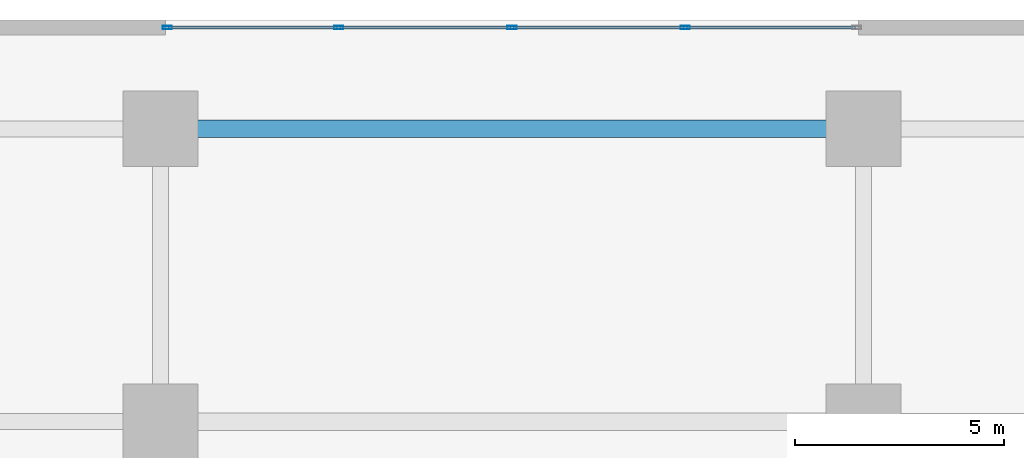
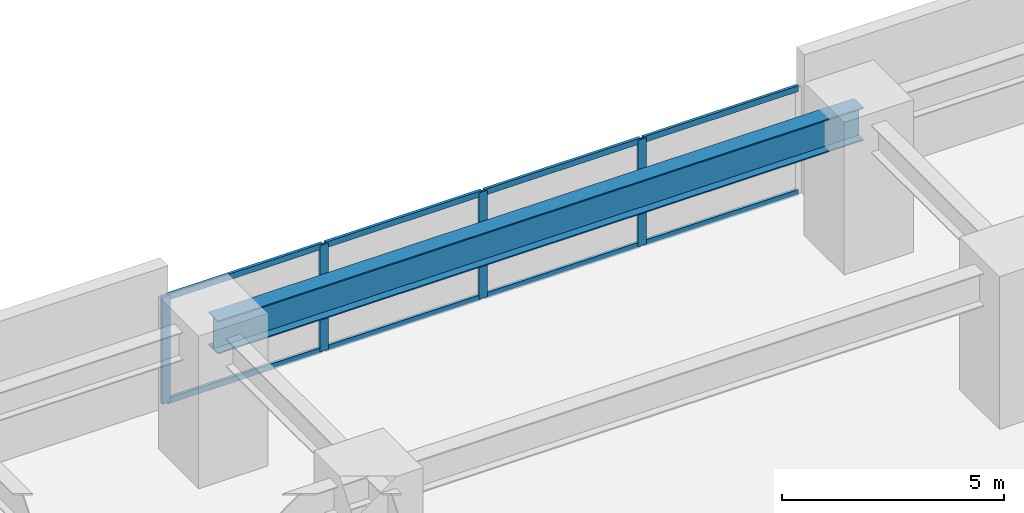
# One storey, part 7 of 22: 12 members, 1 beam, 1 element without a shape of its own.
"""IFC4 building model written with IfcOpenShell, lengths in metres."""

from ifc_helpers import new_model, si_unit, direction, frame, origin, origin_2d, place, context, subcontext, project, spatial, hollow_rectangle, i_section, extrude, material, layer, layer_set, material_profile, profile_set, type_object, element, aggregate, save


model = new_model("IFC4")

# Units and contexts
model_context = context("Model", 3, precision=1e-05, world=origin(), true_north=direction((0.0, 1.0)))
body_context = subcontext(model_context, "Body", "Model", "MODEL_VIEW")
ifc_project = project(units=[si_unit("LENGTHUNIT", "METRE"), si_unit("AREAUNIT", "SQUARE_METRE"), si_unit("VOLUMEUNIT", "CUBIC_METRE"), si_unit("PLANEANGLEUNIT", "RADIAN"), si_unit("MASSUNIT", "GRAM", prefix="KILO")], contexts=[model_context])

# Site, building, storey
site_placement = place(None, origin())
site = spatial("IfcSite", under=ifc_project, at=site_placement, CompositionType="ELEMENT")
building_placement = place(site_placement, origin())
building = spatial("IfcBuilding", under=site, at=building_placement, Name="Kiyonajd Concourse Tower", CompositionType="ELEMENT")
storey_placement = place(building_placement, frame((0.0, 0.0, 4.5)))
storey = spatial("IfcBuildingStorey", under=building, at=storey_placement, Name="L02", CompositionType="ELEMENT", Elevation=4.5)

# Beam
ifc_material_1 = material(Name="Steel ASTM A992 Grade 50", Category="steel")
ifc_material_profile_1 = material_profile(ifc_material_1, i_section(OverallWidth=0.41796875, OverallDepth=0.912109375, WebThickness=0.019287109375, FlangeThickness=0.031982421875, at=origin_2d()), Name="W920X342")
ifc_profile_set_1 = profile_set([ifc_material_profile_1], Name="Steel ASTM A992 Grade 50")
beam_type = type_object("IfcBeamType", Name="BM-CON-920B", PredefinedType="BEAM", material=ifc_profile_set_1)
beam_placement = place(storey_placement, frame((39.60009765625, 69.39990234375, 3.424072265625), z_axis=(1.0, 0.0, 0.0), x_axis=(0.0, 1.0, 0.0)))
element("IfcBeam", 1, at=beam_placement, inside=storey, type_object=beam_type, Name="L02 Concourse Clear Span Girder", PredefinedType="BEAM", context=body_context, shape_type="SweptSolid", body=[
    extrude(i_section(OverallWidth=0.41796875, OverallDepth=0.912109375, WebThickness=0.019287109375, FlangeThickness=0.031982421875, at=origin_2d()), origin(), (0.0, 0.0, 1.0), 16.7998046875),
])

# Curtain wall, members
ifc_material_2 = material(Name="Thermally Broken Anodised Aluminium", Category="aluminium")
ifc_layer = layer(ifc_material_2, 0.179931640625)
ifc_layer_set = layer_set([ifc_layer], Name="Thermally Broken Anodised Aluminium")
curtain_wall_type = type_object("IfcCurtainWallType", Name="CW-SYS-01", PredefinedType="NOTDEFINED", material=ifc_layer_set)
curtain_wall_placement = place(storey_placement, origin())
curtain_wall = element("IfcCurtainWall", 2, at=curtain_wall_placement, inside=storey, type_object=curtain_wall_type, Name="L02 Unitised Curtain Wall CW1", PredefinedType="NOTDEFINED")
ifc_material_profile_2 = material_profile(ifc_material_2, hollow_rectangle(XDim=0.074951171875, YDim=0.219970703125, WallThickness=0.0048828125, at=origin_2d()), Name="MULL-75x220")
ifc_profile_set_2 = profile_set([ifc_material_profile_2], Name="Thermally Broken Anodised Aluminium")
member_type_1 = type_object("IfcMemberType", Name="MB-CW-MULL2", PredefinedType="MULLION", material=ifc_profile_set_2)
member_1_placement = place(storey_placement, frame((39.757568359375, 71.820068359375, 0.0), z_axis=(0.0, 0.0, 1.0), x_axis=(0.0, 1.0, 0.0)))
member_1 = element("IfcMember", 3, at=member_1_placement, type_object=member_type_1, Name="CW1 mullion 1", PredefinedType="MULLION", context=body_context, shape_type="SweptSolid", body=[
    extrude(hollow_rectangle(XDim=0.074951171875, YDim=0.219970703125, WallThickness=0.0048828125, at=origin_2d()), origin(), (0.0, 0.0, 1.0), 2.929931640625),
])
member_2_placement = place(storey_placement, frame((43.860107421875, 71.820068359375, 0.0), z_axis=(0.0, 0.0, 1.0), x_axis=(0.0, 1.0, 0.0)))
member_2 = element("IfcMember", 4, at=member_2_placement, type_object=member_type_1, Name="CW1 mullion 2", PredefinedType="MULLION", context=body_context, shape_type="SweptSolid", body=[
    extrude(hollow_rectangle(XDim=0.074951171875, YDim=0.219970703125, WallThickness=0.0048828125, at=origin_2d()), origin(), (0.0, 0.0, 1.0), 2.929931640625),
])
member_3_placement = place(storey_placement, frame((48.0, 71.820068359375, 0.0), z_axis=(0.0, 0.0, 1.0), x_axis=(0.0, 1.0, 0.0)))
member_3 = element("IfcMember", 5, at=member_3_placement, type_object=member_type_1, Name="CW1 mullion 3", PredefinedType="MULLION", context=body_context, shape_type="SweptSolid", body=[
    extrude(hollow_rectangle(XDim=0.074951171875, YDim=0.219970703125, WallThickness=0.0048828125, at=origin_2d()), origin(), (0.0, 0.0, 1.0), 2.929931640625),
])
member_4_placement = place(storey_placement, frame((52.139892578125, 71.820068359375, 0.0), z_axis=(0.0, 0.0, 1.0), x_axis=(0.0, 1.0, 0.0)))
member_4 = element("IfcMember", 6, at=member_4_placement, type_object=member_type_1, Name="CW1 mullion 4", PredefinedType="MULLION", context=body_context, shape_type="SweptSolid", body=[
    extrude(hollow_rectangle(XDim=0.074951171875, YDim=0.219970703125, WallThickness=0.0048828125, at=origin_2d()), origin(), (0.0, 0.0, 1.0), 2.929931640625),
])
ifc_material_profile_3 = material_profile(ifc_material_2, hollow_rectangle(XDim=0.074951171875, YDim=0.159912109375, WallThickness=0.0048828125, at=origin_2d()), Name="TRAN-75x160")
ifc_profile_set_3 = profile_set([ifc_material_profile_3], Name="Thermally Broken Anodised Aluminium")
member_type_2 = type_object("IfcMemberType", Name="MB-CW-TRAN2", PredefinedType="USERDEFINED", material=ifc_profile_set_3)
member_5_placement = place(storey_placement, frame((39.794921875, 71.820068359375, 0.03759765625), z_axis=(1.0, 0.0, 0.0), x_axis=(0.0, 1.0, 0.0)))
member_5 = element("IfcMember", 7, at=member_5_placement, type_object=member_type_2, Name="CW1 transom 1.1", ObjectType="TRANSOM", PredefinedType="USERDEFINED", context=body_context, shape_type="SweptSolid", body=[
    extrude(hollow_rectangle(XDim=0.074951171875, YDim=0.159912109375, WallThickness=0.0048828125, at=origin_2d()), origin(), (0.0, 0.0, 1.0), 4.027587890625),
])
member_6_placement = place(storey_placement, frame((39.794921875, 71.820068359375, 2.892578125), z_axis=(1.0, 0.0, 0.0), x_axis=(0.0, 1.0, 0.0)))
member_6 = element("IfcMember", 8, at=member_6_placement, type_object=member_type_2, Name="CW1 transom 1.2", ObjectType="TRANSOM", PredefinedType="USERDEFINED", context=body_context, shape_type="SweptSolid", body=[
    extrude(hollow_rectangle(XDim=0.074951171875, YDim=0.159912109375, WallThickness=0.0048828125, at=origin_2d()), origin(), (0.0, 0.0, 1.0), 4.027587890625),
])
member_7_placement = place(storey_placement, frame((43.8974609375, 71.820068359375, 0.03759765625), z_axis=(1.0, 0.0, 0.0), x_axis=(0.0, 1.0, 0.0)))
member_7 = element("IfcMember", 9, at=member_7_placement, type_object=member_type_2, Name="CW1 transom 2.1", ObjectType="TRANSOM", PredefinedType="USERDEFINED", context=body_context, shape_type="SweptSolid", body=[
    extrude(hollow_rectangle(XDim=0.074951171875, YDim=0.159912109375, WallThickness=0.0048828125, at=origin_2d()), origin(), (0.0, 0.0, 1.0), 4.06494140625),
])
member_8_placement = place(storey_placement, frame((43.8974609375, 71.820068359375, 2.892578125), z_axis=(1.0, 0.0, 0.0), x_axis=(0.0, 1.0, 0.0)))
member_8 = element("IfcMember", 10, at=member_8_placement, type_object=member_type_2, Name="CW1 transom 2.2", ObjectType="TRANSOM", PredefinedType="USERDEFINED", context=body_context, shape_type="SweptSolid", body=[
    extrude(hollow_rectangle(XDim=0.074951171875, YDim=0.159912109375, WallThickness=0.0048828125, at=origin_2d()), origin(), (0.0, 0.0, 1.0), 4.06494140625),
])
member_9_placement = place(storey_placement, frame((48.03759765625, 71.820068359375, 0.03759765625), z_axis=(1.0, 0.0, 0.0), x_axis=(0.0, 1.0, 0.0)))
member_9 = element("IfcMember", 11, at=member_9_placement, type_object=member_type_2, Name="CW1 transom 3.1", ObjectType="TRANSOM", PredefinedType="USERDEFINED", context=body_context, shape_type="SweptSolid", body=[
    extrude(hollow_rectangle(XDim=0.074951171875, YDim=0.159912109375, WallThickness=0.0048828125, at=origin_2d()), origin(), (0.0, 0.0, 1.0), 4.06494140625),
])
member_10_placement = place(storey_placement, frame((48.03759765625, 71.820068359375, 2.892578125), z_axis=(1.0, 0.0, 0.0), x_axis=(0.0, 1.0, 0.0)))
member_10 = element("IfcMember", 12, at=member_10_placement, type_object=member_type_2, Name="CW1 transom 3.2", ObjectType="TRANSOM", PredefinedType="USERDEFINED", context=body_context, shape_type="SweptSolid", body=[
    extrude(hollow_rectangle(XDim=0.074951171875, YDim=0.159912109375, WallThickness=0.0048828125, at=origin_2d()), origin(), (0.0, 0.0, 1.0), 4.06494140625),
])
member_11_placement = place(storey_placement, frame((52.177490234375, 71.820068359375, 0.03759765625), z_axis=(1.0, 0.0, 0.0), x_axis=(0.0, 1.0, 0.0)))
member_11 = element("IfcMember", 13, at=member_11_placement, type_object=member_type_2, Name="CW1 transom 4.1", ObjectType="TRANSOM", PredefinedType="USERDEFINED", context=body_context, shape_type="SweptSolid", body=[
    extrude(hollow_rectangle(XDim=0.074951171875, YDim=0.159912109375, WallThickness=0.0048828125, at=origin_2d()), origin(), (0.0, 0.0, 1.0), 4.027587890625),
])
member_12_placement = place(storey_placement, frame((52.177490234375, 71.820068359375, 2.892578125), z_axis=(1.0, 0.0, 0.0), x_axis=(0.0, 1.0, 0.0)))
member_12 = element("IfcMember", 14, at=member_12_placement, type_object=member_type_2, Name="CW1 transom 4.2", ObjectType="TRANSOM", PredefinedType="USERDEFINED", context=body_context, shape_type="SweptSolid", body=[
    extrude(hollow_rectangle(XDim=0.074951171875, YDim=0.159912109375, WallThickness=0.0048828125, at=origin_2d()), origin(), (0.0, 0.0, 1.0), 4.027587890625),
])
aggregate(curtain_wall, [member_1, member_2, member_3, member_4, member_5, member_6, member_7, member_8, member_9, member_10, member_11, member_12])

save(model, "model.ifc")
